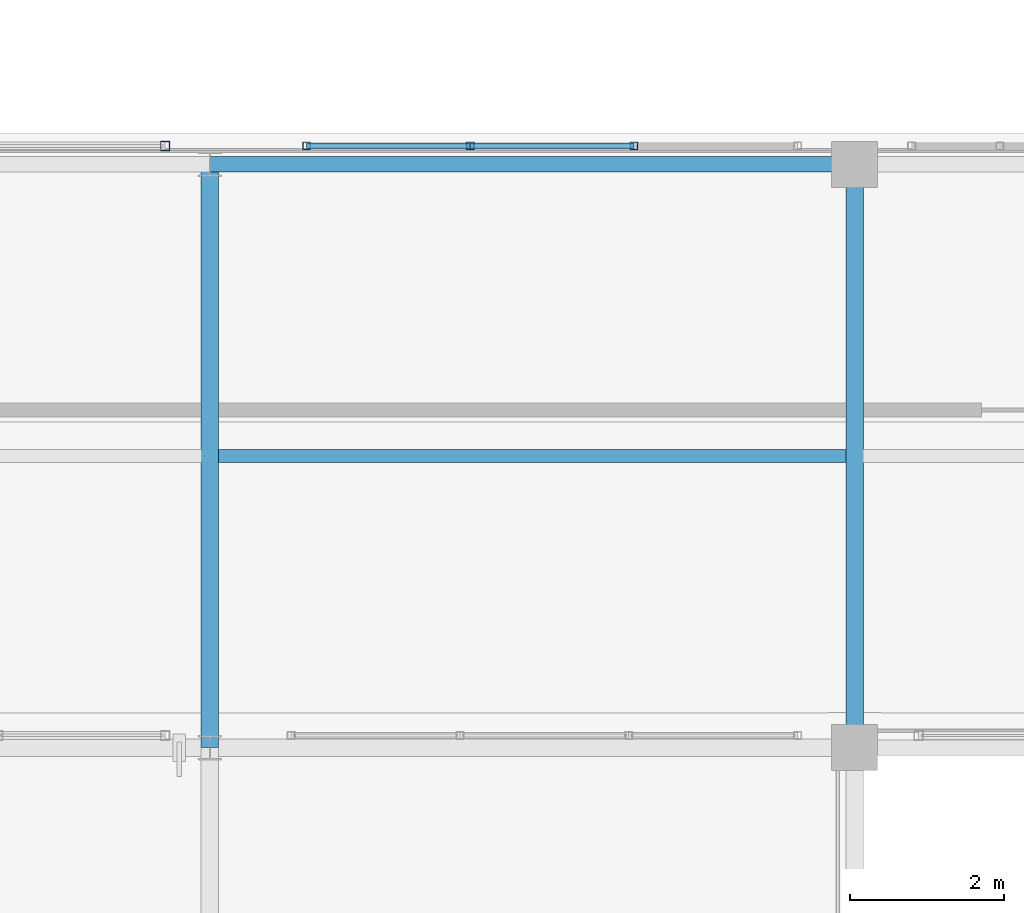
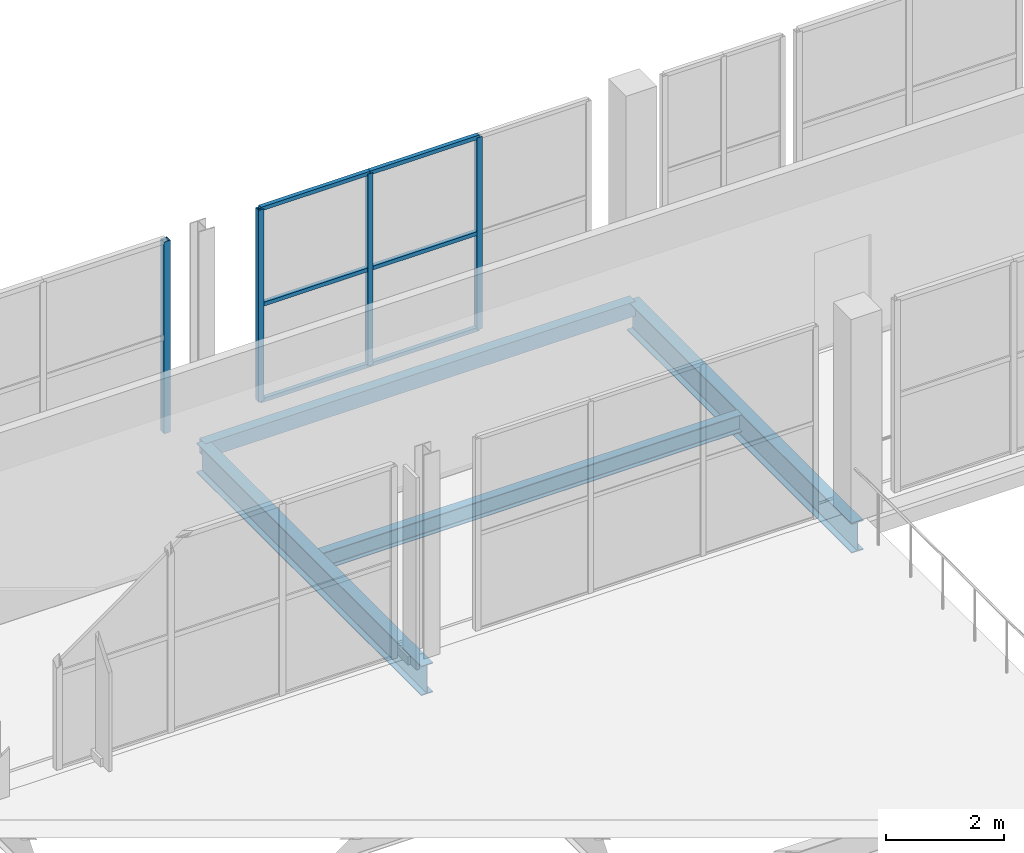
# One storey, part 33 of 151: 10 members, 4 beams, 2 elements without a shape of their own.
"""IFC4 building model written with IfcOpenShell, lengths in metres."""

from ifc_helpers import new_model, si_unit, direction, frame, origin, origin_2d, place, context, subcontext, project, spatial, hollow_rectangle, i_section, extrude, material, material_profile, profile_set, type_object, element, aggregate, save


model = new_model("IFC4")

# Units and contexts
model_context = context("Model", 3, precision=1e-05, world=origin(), true_north=direction((0.0, 1.0)))
body_context = subcontext(model_context, "Body", "Model", "MODEL_VIEW")
ifc_project = project(units=[si_unit("LENGTHUNIT", "METRE"), si_unit("AREAUNIT", "SQUARE_METRE"), si_unit("VOLUMEUNIT", "CUBIC_METRE"), si_unit("PLANEANGLEUNIT", "RADIAN"), si_unit("MASSUNIT", "GRAM", prefix="KILO")], contexts=[model_context])

# Site, building, storey
site_placement = place(None, origin())
site = spatial("IfcSite", under=ifc_project, at=site_placement, CompositionType="ELEMENT")
building_placement = place(site_placement, origin())
building = spatial("IfcBuilding", under=site, at=building_placement, Name="Zuvorla Pavilion Media Centre", CompositionType="ELEMENT")
storey_placement = place(building_placement, frame((0.0, 0.0, 13.800048828125)))
storey = spatial("IfcBuildingStorey", under=building, at=storey_placement, Name="L03", CompositionType="ELEMENT", Elevation=13.800048828125)

# Beams
ifc_material_1 = material(Name="Steel S355", Category="steel")
ifc_material_profile_1 = material_profile(ifc_material_1, hollow_rectangle(XDim=0.199951171875, YDim=0.300048828125, WallThickness=0.012451171875, at=origin_2d()), Name="RHS 300x200x12.5")
ifc_profile_set_1 = profile_set([ifc_material_profile_1], Name="Steel S355")
beam_type_1 = type_object("IfcBeamType", Name="BM-SP-RHS300", PredefinedType="SPANDREL", material=ifc_profile_set_1)
beam_1_placement = place(storey_placement, frame((58.39990234375, 51.60009765625, -0.407958984375), z_axis=(1.0, 0.0, 0.0), x_axis=(0.0, 1.0, 0.0)))
element("IfcBeam", 1, at=beam_1_placement, inside=storey, type_object=beam_type_1, Name="L03 spandrel SP01 1096", PredefinedType="SPANDREL", context=body_context, shape_type="SweptSolid", body=[
    extrude(hollow_rectangle(XDim=0.199951171875, YDim=0.300048828125, WallThickness=0.012451171875, at=origin_2d()), origin(), (0.0, 0.0, 1.0), 8.400146484375),
])
ifc_material_profile_2 = material_profile(ifc_material_1, i_section(OverallWidth=0.172119140625, OverallDepth=0.35791015625, WebThickness=0.008056640625, FlangeThickness=0.012939453125, FilletRadius=0.01025390625, at=origin_2d()), Name="UB 356x171x57")
ifc_profile_set_2 = profile_set([ifc_material_profile_2], Name="Steel S355")
beam_type_2 = type_object("IfcBeamType", Name="BM-UB356", PredefinedType="JOIST", material=ifc_profile_set_2)
beam_2_placement = place(storey_placement, frame((58.509521484375, 47.800048828125, -0.43701171875), z_axis=(1.0, 0.0, 0.0), x_axis=(0.0, 1.0, 0.0)))
element("IfcBeam", 2, at=beam_2_placement, inside=storey, type_object=beam_type_2, Name="L03 joist J03 1258", PredefinedType="JOIST", context=body_context, shape_type="SweptSolid", body=[
    extrude(i_section(OverallWidth=0.172119140625, OverallDepth=0.35791015625, WebThickness=0.008056640625, FlangeThickness=0.012939453125, FilletRadius=0.01025390625, at=origin_2d()), origin(), (0.0, 0.0, 1.0), 8.180908203125),
])
ifc_material_profile_3 = material_profile(ifc_material_1, i_section(OverallWidth=0.22900390625, OverallDepth=0.6123046875, WebThickness=0.011962890625, FlangeThickness=0.01953125, FilletRadius=0.0126953125, at=origin_2d()), Name="UB 610x229x125")
ifc_profile_set_3 = profile_set([ifc_material_profile_3], Name="Steel S355")
beam_type_3 = type_object("IfcBeamType", Name="BM-UB610", PredefinedType="BEAM", material=ifc_profile_set_3)
for number, where, z_axis, x_axis, name in (
    (3, (58.39990234375, 44.0, -0.564208984375), (0.0, 1.0, 0.0), (-1.0, 0.0, 0.0), "L03 beam B07 1178"),
    (4, (66.800048828125, 44.0, -0.564208984375), (0.0, 1.0, 0.0), (-1.0, 0.0, 0.0), "L03 beam B07 1185"),
):
    element("IfcBeam", number, at=place(storey_placement, frame(where, z_axis=z_axis, x_axis=x_axis)), inside=storey, type_object=beam_type_3, Name=name, PredefinedType="BEAM", context=body_context, shape_type="SweptSolid", body=[
        extrude(i_section(OverallWidth=0.22900390625, OverallDepth=0.6123046875, WebThickness=0.011962890625, FlangeThickness=0.01953125, FilletRadius=0.0126953125, at=origin_2d()), origin(), (0.0, 0.0, 1.0), 7.60009765625),
    ])

# Curtain wall, members
ifc_material_2 = material(Name="Unitised anodised aluminium and solar glass curtain wall", Category="aluminium")
curtain_wall_type_1 = type_object("IfcCurtainWallType", Name="CW-SYS-46", PredefinedType="USERDEFINED", material=ifc_material_2)
curtain_wall_1_placement = place(storey_placement, origin())
curtain_wall_1 = element("IfcCurtainWall", 5, at=curtain_wall_1_placement, inside=storey, type_object=curtain_wall_type_1, Name="L03 curtain wall CW46 156", ObjectType="CURTAIN WALL", PredefinedType="USERDEFINED")
ifc_material_3 = material(Name="Anodised aluminium 6063-T6", Category="aluminium")
ifc_material_profile_4 = material_profile(ifc_material_3, hollow_rectangle(XDim=0.10009765625, YDim=0.10009765625, WallThickness=0.00439453125, at=origin_2d()), Name="ALU MULL 100x100")
ifc_profile_set_4 = profile_set([ifc_material_profile_4], Name="Anodised aluminium 6063-T6")
member_type_1 = type_object("IfcMemberType", Name="CW-MULL-100", PredefinedType="MULLION", material=ifc_profile_set_4)
member_1_placement = place(storey_placement, frame((59.659912109375, 51.840087890625, 0.0), z_axis=(0.0, 0.0, 1.0), x_axis=(1.0, 0.0, 0.0)))
member_1 = element("IfcMember", 6, at=member_1_placement, type_object=member_type_1, Name="CW46 mullion 1", PredefinedType="MULLION", context=body_context, shape_type="SweptSolid", body=[
    extrude(hollow_rectangle(XDim=0.10009765625, YDim=0.10009765625, WallThickness=0.00439453125, at=origin_2d()), origin(), (0.0, 0.0, 1.0), 3.9599609375),
])
member_2_placement = place(storey_placement, frame((61.7919921875, 51.840087890625, 0.0), z_axis=(0.0, 0.0, 1.0), x_axis=(1.0, 0.0, 0.0)))
member_2 = element("IfcMember", 7, at=member_2_placement, type_object=member_type_1, Name="CW46 mullion 2", PredefinedType="MULLION", context=body_context, shape_type="SweptSolid", body=[
    extrude(hollow_rectangle(XDim=0.10009765625, YDim=0.10009765625, WallThickness=0.00439453125, at=origin_2d()), origin(), (0.0, 0.0, 1.0), 3.9599609375),
])
member_3_placement = place(storey_placement, frame((63.923828125, 51.840087890625, 0.0), z_axis=(0.0, 0.0, 1.0), x_axis=(1.0, 0.0, 0.0)))
member_3 = element("IfcMember", 8, at=member_3_placement, type_object=member_type_1, Name="CW46 mullion 3", PredefinedType="MULLION", context=body_context, shape_type="SweptSolid", body=[
    extrude(hollow_rectangle(XDim=0.10009765625, YDim=0.10009765625, WallThickness=0.00439453125, at=origin_2d()), origin(), (0.0, 0.0, 1.0), 3.9599609375),
])

# Curtain wall, member
curtain_wall_type_2 = type_object("IfcCurtainWallType", Name="CW-SYS-74", PredefinedType="USERDEFINED", material=ifc_material_2)
curtain_wall_2_placement = place(storey_placement, origin())
curtain_wall_2 = element("IfcCurtainWall", 9, at=curtain_wall_2_placement, inside=storey, type_object=curtain_wall_type_2, Name="L03 curtain wall CW74 154", ObjectType="CURTAIN WALL", PredefinedType="USERDEFINED")
ifc_material_profile_5 = material_profile(ifc_material_3, hollow_rectangle(XDim=0.1201171875, YDim=0.1201171875, WallThickness=0.0048828125, at=origin_2d()), Name="ALU MULL 120x120")
ifc_profile_set_5 = profile_set([ifc_material_profile_5], Name="Anodised aluminium 6063-T6")
member_type_2 = type_object("IfcMemberType", Name="CW-MULL-120", PredefinedType="MULLION", material=ifc_profile_set_5)
member_4_placement = place(storey_placement, frame((57.818115234375, 51.840087890625, 0.0), z_axis=(0.0, 0.0, 1.0), x_axis=(1.0, 0.0, 0.0)))
member_4 = element("IfcMember", 10, at=member_4_placement, type_object=member_type_2, Name="CW74 mullion 4", PredefinedType="MULLION", context=body_context, shape_type="SweptSolid", body=[
    extrude(hollow_rectangle(XDim=0.1201171875, YDim=0.1201171875, WallThickness=0.0048828125, at=origin_2d()), origin(), (0.0, 0.0, 1.0), 3.9599609375),
])
aggregate(curtain_wall_2, [member_4])

# Member
ifc_material_profile_6 = material_profile(ifc_material_3, hollow_rectangle(XDim=0.080078125, YDim=0.080078125, WallThickness=0.00390625, at=origin_2d()), Name="ALU TRAN 80x80")
ifc_profile_set_6 = profile_set([ifc_material_profile_6], Name="Anodised aluminium 6063-T6")
member_type_3 = type_object("IfcMemberType", Name="CW-TRAN-80", PredefinedType="USERDEFINED", material=ifc_profile_set_6)
member_5_placement = place(storey_placement, frame((59.659912109375, 51.840087890625, 0.0), z_axis=(1.0, 0.0, 0.0), x_axis=(0.0, 1.0, 0.0)))
member_5 = element("IfcMember", 11, at=member_5_placement, type_object=member_type_3, Name="CW46 transom 1.1", ObjectType="TRANSOM", PredefinedType="USERDEFINED", context=body_context, shape_type="SweptSolid", body=[
    extrude(hollow_rectangle(XDim=0.080078125, YDim=0.080078125, WallThickness=0.00390625, at=origin_2d()), origin(), (0.0, 0.0, 1.0), 2.132080078125),
])

member_6_placement = place(storey_placement, frame((59.659912109375, 51.840087890625, 1.97998046875), z_axis=(1.0, 0.0, 0.0), x_axis=(0.0, 1.0, 0.0)))
member_6 = element("IfcMember", 12, at=member_6_placement, type_object=member_type_3, Name="CW46 transom 1.2", ObjectType="TRANSOM", PredefinedType="USERDEFINED", context=body_context, shape_type="SweptSolid", body=[
    extrude(hollow_rectangle(XDim=0.080078125, YDim=0.080078125, WallThickness=0.00390625, at=origin_2d()), origin(), (0.0, 0.0, 1.0), 2.132080078125),
])

member_7_placement = place(storey_placement, frame((59.659912109375, 51.840087890625, 3.9599609375), z_axis=(1.0, 0.0, 0.0), x_axis=(0.0, 1.0, 0.0)))
member_7 = element("IfcMember", 13, at=member_7_placement, type_object=member_type_3, Name="CW46 transom 1.3", ObjectType="TRANSOM", PredefinedType="USERDEFINED", context=body_context, shape_type="SweptSolid", body=[
    extrude(hollow_rectangle(XDim=0.080078125, YDim=0.080078125, WallThickness=0.00390625, at=origin_2d()), origin(), (0.0, 0.0, 1.0), 2.132080078125),
])

member_8_placement = place(storey_placement, frame((61.7919921875, 51.840087890625, 0.0), z_axis=(1.0, 0.0, 0.0), x_axis=(0.0, 1.0, 0.0)))
member_8 = element("IfcMember", 14, at=member_8_placement, type_object=member_type_3, Name="CW46 transom 2.1", ObjectType="TRANSOM", PredefinedType="USERDEFINED", context=body_context, shape_type="SweptSolid", body=[
    extrude(hollow_rectangle(XDim=0.080078125, YDim=0.080078125, WallThickness=0.00390625, at=origin_2d()), origin(), (0.0, 0.0, 1.0), 2.1318359375),
])

member_9_placement = place(storey_placement, frame((61.7919921875, 51.840087890625, 1.97998046875), z_axis=(1.0, 0.0, 0.0), x_axis=(0.0, 1.0, 0.0)))
member_9 = element("IfcMember", 15, at=member_9_placement, type_object=member_type_3, Name="CW46 transom 2.2", ObjectType="TRANSOM", PredefinedType="USERDEFINED", context=body_context, shape_type="SweptSolid", body=[
    extrude(hollow_rectangle(XDim=0.080078125, YDim=0.080078125, WallThickness=0.00390625, at=origin_2d()), origin(), (0.0, 0.0, 1.0), 2.1318359375),
])

member_10_placement = place(storey_placement, frame((61.7919921875, 51.840087890625, 3.9599609375), z_axis=(1.0, 0.0, 0.0), x_axis=(0.0, 1.0, 0.0)))
member_10 = element("IfcMember", 16, at=member_10_placement, type_object=member_type_3, Name="CW46 transom 2.3", ObjectType="TRANSOM", PredefinedType="USERDEFINED", context=body_context, shape_type="SweptSolid", body=[
    extrude(hollow_rectangle(XDim=0.080078125, YDim=0.080078125, WallThickness=0.00390625, at=origin_2d()), origin(), (0.0, 0.0, 1.0), 2.1318359375),
])

aggregate(curtain_wall_1, [member_1, member_2, member_3, member_5, member_6, member_7, member_8, member_9, member_10])

save(model, "model.ifc")
